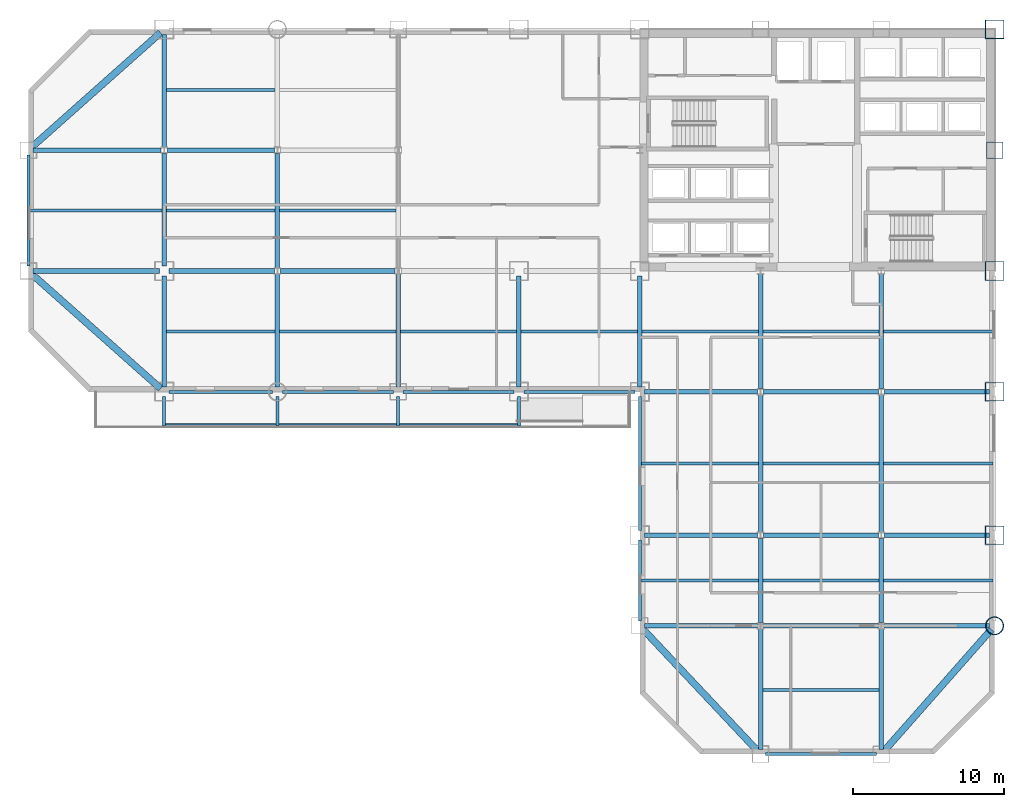
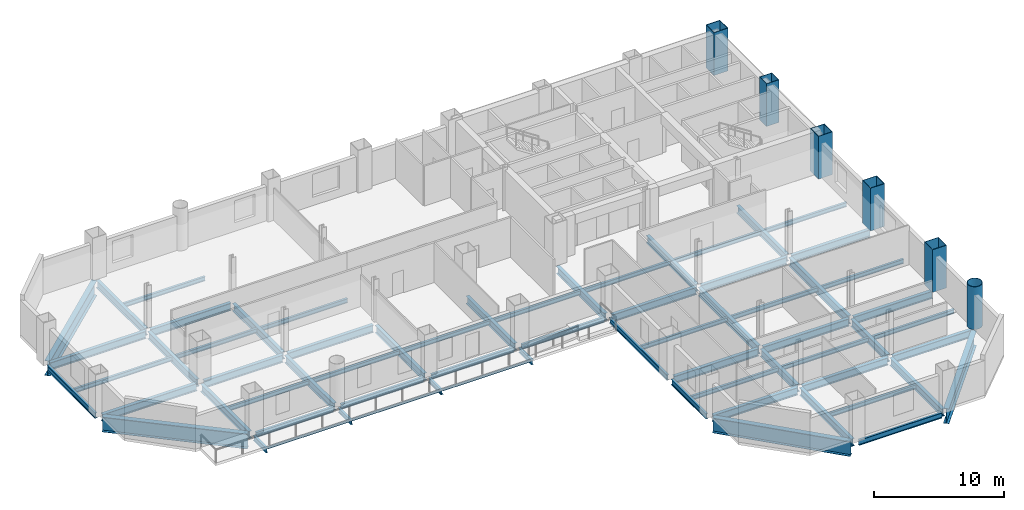
# One storey, part 3 of 9: 67 beams, 6 columns.
"""IFC4 building model written with IfcOpenShell, lengths in metres."""

from ifc_helpers import new_model, si_unit, direction, frame, origin, origin_2d, place, context, subcontext, project, spatial, hollow_rectangle, hollow_circle, i_section, extrude, material, material_profile, profile_set, type_object, element, save


model = new_model("IFC4")

# Units and contexts
model_context = context("Model", 3, precision=1e-05, world=origin(), true_north=direction((0.0, 1.0)))
body_context = subcontext(model_context, "Body", "Model", "MODEL_VIEW")
ifc_project = project(units=[si_unit("LENGTHUNIT", "METRE"), si_unit("AREAUNIT", "SQUARE_METRE"), si_unit("VOLUMEUNIT", "CUBIC_METRE"), si_unit("PLANEANGLEUNIT", "RADIAN"), si_unit("MASSUNIT", "GRAM", prefix="KILO")], contexts=[model_context])

# Site, building, storey
site_placement = place(None, origin())
site = spatial("IfcSite", under=ifc_project, at=site_placement, CompositionType="ELEMENT")
building_placement = place(site_placement, origin())
building = spatial("IfcBuilding", under=site, at=building_placement, Name="Qianrong Seaharbour Tower", CompositionType="ELEMENT")
storey_placement = place(building_placement, frame((0.0, 0.0, 64.199951171875)))
storey = spatial("IfcBuildingStorey", under=building, at=storey_placement, Name="L15", CompositionType="ELEMENT", Elevation=64.199951171875)

# Columns
ifc_material_1 = material(Name="Structural steel SN490B", Category="steel")
ifc_material_profile_1 = material_profile(ifc_material_1, hollow_rectangle(XDim=1.25, YDim=1.25, WallThickness=0.044921875, at=origin_2d()), Name="BOX1250x1250x45")
ifc_profile_set_1 = profile_set([ifc_material_profile_1], Name="Structural steel SN490B")
column_type_1 = type_object("IfcColumnType", Name="COL-CFT-1250", PredefinedType="COLUMN", material=ifc_profile_set_1)
for number, where, z_axis, x_axis, name in (
    (1, (64.0, 18.5, 0.0), (0.0, 0.0, 1.0), (1.0, 0.0, 0.0), "L15 Column MC-2 at G9/GD"),
    (2, (64.0, 28.0, 0.0), (0.0, 0.0, 1.0), (1.0, 0.0, 0.0), "L15 Column MC-2 at G9/GE"),
    (3, (64.0, 36.0, 0.0), (0.0, 0.0, 1.0), (1.0, 0.0, 0.0), "L15 Column MC-2 at G9/GF"),
    (4, (64.0, 52.0, 0.0), (0.0, 0.0, 1.0), (1.0, 0.0, 0.0), "L15 Column MC-2 at G9/GH"),
):
    element("IfcColumn", number, at=place(storey_placement, frame(where, z_axis=z_axis, x_axis=x_axis)), inside=storey, type_object=column_type_1, Name=name, PredefinedType="COLUMN", context=body_context, shape_type="SweptSolid", body=[
        extrude(hollow_rectangle(XDim=1.25, YDim=1.25, WallThickness=0.044921875, at=origin_2d()), origin(), (0.0, 0.0, 1.0), 4.0),
    ])
ifc_material_profile_2 = material_profile(ifc_material_1, hollow_circle(Radius=0.60009765625, WallThickness=0.0400390625, at=origin_2d()), Name="CHS1200x40")
ifc_profile_set_2 = profile_set([ifc_material_profile_2], Name="Structural steel SN490B")
column_type_2 = type_object("IfcColumnType", Name="COL-CHS-1200", PredefinedType="COLUMN", material=ifc_profile_set_2)
column_1_placement = place(storey_placement, frame((64.0, 12.5, 0.0), z_axis=(0.0, 0.0, 1.0), x_axis=(1.0, 0.0, 0.0)))
element("IfcColumn", 5, at=column_1_placement, inside=storey, type_object=column_type_2, Name="L15 Column CC-1 at G9/GC", PredefinedType="COLUMN", context=body_context, shape_type="SweptSolid", body=[
    extrude(hollow_circle(Radius=0.60009765625, WallThickness=0.0400390625, at=origin_2d()), origin(), (0.0, 0.0, 1.0), 4.0),
])
ifc_material_profile_3 = material_profile(ifc_material_1, hollow_rectangle(XDim=1.10009765625, YDim=1.10009765625, WallThickness=0.0400390625, at=origin_2d()), Name="BOX1100x1100x40")
ifc_profile_set_3 = profile_set([ifc_material_profile_3], Name="Structural steel SN490B")
column_type_3 = type_object("IfcColumnType", Name="COL-PER-1100", PredefinedType="COLUMN", material=ifc_profile_set_3)
column_2_placement = place(storey_placement, frame((64.0, 44.0, 0.0), z_axis=(0.0, 0.0, 1.0), x_axis=(1.0, 0.0, 0.0)))
element("IfcColumn", 6, at=column_2_placement, inside=storey, type_object=column_type_3, Name="L15 Column PC-1 at G9/GG", PredefinedType="COLUMN", context=body_context, shape_type="SweptSolid", body=[
    extrude(hollow_rectangle(XDim=1.10009765625, YDim=1.10009765625, WallThickness=0.0400390625, at=origin_2d()), origin(), (0.0, 0.0, 1.0), 4.0),
])

# Beams
ifc_material_profile_4 = material_profile(ifc_material_1, i_section(OverallWidth=0.300048828125, OverallDepth=0.699951171875, WebThickness=0.012939453125, FlangeThickness=0.02392578125, FilletRadius=0.02587890625, at=origin_2d()), Name="H700x300x13x24")
ifc_profile_set_4 = profile_set([ifc_material_profile_4], Name="Structural steel SN490B")
beam_type_1 = type_object("IfcBeamType", Name="BM-G-700", PredefinedType="BEAM", material=ifc_profile_set_4)
beam_1_placement = place(storey_placement, frame((40.820068359375, 12.5, -0.599853515625), z_axis=(1.0, 0.0, 0.0), x_axis=(0.0, 1.0, 0.0)))
element("IfcBeam", 7, at=beam_1_placement, inside=storey, type_object=beam_type_1, Name="L15 Primary Girder GC G6-G7", PredefinedType="BEAM", context=body_context, shape_type="SweptSolid", body=[
    extrude(i_section(OverallWidth=0.300048828125, OverallDepth=0.699951171875, WebThickness=0.012939453125, FlangeThickness=0.02392578125, FilletRadius=0.02587890625, at=origin_2d()), origin(), (0.0, 0.0, 1.0), 7.476318359375),
])
beam_2_placement = place(storey_placement, frame((48.70361328125, 12.5, -0.599853515625), z_axis=(1.0, 0.0, 0.0), x_axis=(0.0, 1.0, 0.0)))
element("IfcBeam", 8, at=beam_2_placement, inside=storey, type_object=beam_type_1, Name="L15 Primary Girder GC G7-G8", PredefinedType="BEAM", context=body_context, shape_type="SweptSolid", body=[
    extrude(i_section(OverallWidth=0.300048828125, OverallDepth=0.699951171875, WebThickness=0.012939453125, FlangeThickness=0.02392578125, FilletRadius=0.02587890625, at=origin_2d()), origin(), (0.0, 0.0, 1.0), 7.5927734375),
])
beam_3_placement = place(storey_placement, frame((56.70361328125, 12.5, -0.599853515625), z_axis=(1.0, 0.0, 0.0), x_axis=(0.0, 1.0, 0.0)))
element("IfcBeam", 9, at=beam_3_placement, inside=storey, type_object=beam_type_1, Name="L15 Primary Girder GC G8-G9", PredefinedType="BEAM", context=body_context, shape_type="SweptSolid", body=[
    extrude(i_section(OverallWidth=0.300048828125, OverallDepth=0.699951171875, WebThickness=0.012939453125, FlangeThickness=0.02392578125, FilletRadius=0.02587890625, at=origin_2d()), origin(), (0.0, 0.0, 1.0), 6.976318359375),
])
beam_4_placement = place(storey_placement, frame((40.820068359375, 18.5, -0.599853515625), z_axis=(1.0, 0.0, 0.0), x_axis=(0.0, 1.0, 0.0)))
element("IfcBeam", 10, at=beam_4_placement, inside=storey, type_object=beam_type_1, Name="L15 Primary Girder GD G6-G7", PredefinedType="BEAM", context=body_context, shape_type="SweptSolid", body=[
    extrude(i_section(OverallWidth=0.300048828125, OverallDepth=0.699951171875, WebThickness=0.012939453125, FlangeThickness=0.02392578125, FilletRadius=0.02587890625, at=origin_2d()), origin(), (0.0, 0.0, 1.0), 7.476318359375),
])
beam_5_placement = place(storey_placement, frame((48.70361328125, 18.5, -0.599853515625), z_axis=(1.0, 0.0, 0.0), x_axis=(0.0, 1.0, 0.0)))
element("IfcBeam", 11, at=beam_5_placement, inside=storey, type_object=beam_type_1, Name="L15 Primary Girder GD G7-G8", PredefinedType="BEAM", context=body_context, shape_type="SweptSolid", body=[
    extrude(i_section(OverallWidth=0.300048828125, OverallDepth=0.699951171875, WebThickness=0.012939453125, FlangeThickness=0.02392578125, FilletRadius=0.02587890625, at=origin_2d()), origin(), (0.0, 0.0, 1.0), 7.5927734375),
])
beam_6_placement = place(storey_placement, frame((56.70361328125, 18.5, -0.599853515625), z_axis=(1.0, 0.0, 0.0), x_axis=(0.0, 1.0, 0.0)))
element("IfcBeam", 12, at=beam_6_placement, inside=storey, type_object=beam_type_1, Name="L15 Primary Girder GD G8-G9", PredefinedType="BEAM", context=body_context, shape_type="SweptSolid", body=[
    extrude(i_section(OverallWidth=0.300048828125, OverallDepth=0.699951171875, WebThickness=0.012939453125, FlangeThickness=0.02392578125, FilletRadius=0.02587890625, at=origin_2d()), origin(), (0.0, 0.0, 1.0), 6.976318359375),
])
beam_7_placement = place(storey_placement, frame((40.820068359375, 28.0, -0.599853515625), z_axis=(1.0, 0.0, 0.0), x_axis=(0.0, 1.0, 0.0)))
element("IfcBeam", 13, at=beam_7_placement, inside=storey, type_object=beam_type_1, Name="L15 Primary Girder GE G6-G7", PredefinedType="BEAM", context=body_context, shape_type="SweptSolid", body=[
    extrude(i_section(OverallWidth=0.300048828125, OverallDepth=0.699951171875, WebThickness=0.012939453125, FlangeThickness=0.02392578125, FilletRadius=0.02587890625, at=origin_2d()), origin(), (0.0, 0.0, 1.0), 7.476318359375),
])
beam_8_placement = place(storey_placement, frame((48.70361328125, 28.0, -0.599853515625), z_axis=(1.0, 0.0, 0.0), x_axis=(0.0, 1.0, 0.0)))
element("IfcBeam", 14, at=beam_8_placement, inside=storey, type_object=beam_type_1, Name="L15 Primary Girder GE G7-G8", PredefinedType="BEAM", context=body_context, shape_type="SweptSolid", body=[
    extrude(i_section(OverallWidth=0.300048828125, OverallDepth=0.699951171875, WebThickness=0.012939453125, FlangeThickness=0.02392578125, FilletRadius=0.02587890625, at=origin_2d()), origin(), (0.0, 0.0, 1.0), 7.5927734375),
])
beam_9_placement = place(storey_placement, frame((56.70361328125, 28.0, -0.599853515625), z_axis=(1.0, 0.0, 0.0), x_axis=(0.0, 1.0, 0.0)))
element("IfcBeam", 15, at=beam_9_placement, inside=storey, type_object=beam_type_1, Name="L15 Primary Girder GE G8-G9", PredefinedType="BEAM", context=body_context, shape_type="SweptSolid", body=[
    extrude(i_section(OverallWidth=0.300048828125, OverallDepth=0.699951171875, WebThickness=0.012939453125, FlangeThickness=0.02392578125, FilletRadius=0.02587890625, at=origin_2d()), origin(), (0.0, 0.0, 1.0), 6.976318359375),
])
beam_10_placement = place(storey_placement, frame((0.320068359375, 36.0, -0.599853515625), z_axis=(1.0, 0.0, 0.0), x_axis=(0.0, 1.0, 0.0)))
element("IfcBeam", 16, at=beam_10_placement, inside=storey, type_object=beam_type_1, Name="L15 Primary Girder GF G1-G2", PredefinedType="BEAM", context=body_context, shape_type="SweptSolid", body=[
    extrude(i_section(OverallWidth=0.300048828125, OverallDepth=0.699951171875, WebThickness=0.012939453125, FlangeThickness=0.02392578125, FilletRadius=0.02587890625, at=origin_2d()), origin(), (0.0, 0.0, 1.0), 8.35986328125),
])
beam_11_placement = place(storey_placement, frame((9.320068359375, 36.0, -0.599853515625), z_axis=(1.0, 0.0, 0.0), x_axis=(0.0, 1.0, 0.0)))
element("IfcBeam", 17, at=beam_11_placement, inside=storey, type_object=beam_type_1, Name="L15 Primary Girder GF G2-G3", PredefinedType="BEAM", context=body_context, shape_type="SweptSolid", body=[
    extrude(i_section(OverallWidth=0.300048828125, OverallDepth=0.699951171875, WebThickness=0.012939453125, FlangeThickness=0.02392578125, FilletRadius=0.02587890625, at=origin_2d()), origin(), (0.0, 0.0, 1.0), 6.976318359375),
])
beam_12_placement = place(storey_placement, frame((16.70361328125, 36.0, -0.599853515625), z_axis=(1.0, 0.0, 0.0), x_axis=(0.0, 1.0, 0.0)))
element("IfcBeam", 18, at=beam_12_placement, inside=storey, type_object=beam_type_1, Name="L15 Primary Girder GF G3-G4", PredefinedType="BEAM", context=body_context, shape_type="SweptSolid", body=[
    extrude(i_section(OverallWidth=0.300048828125, OverallDepth=0.699951171875, WebThickness=0.012939453125, FlangeThickness=0.02392578125, FilletRadius=0.02587890625, at=origin_2d()), origin(), (0.0, 0.0, 1.0), 7.5927734375),
])
beam_13_placement = place(storey_placement, frame((0.320068359375, 44.0, -0.599853515625), z_axis=(1.0, 0.0, 0.0), x_axis=(0.0, 1.0, 0.0)))
element("IfcBeam", 19, at=beam_13_placement, inside=storey, type_object=beam_type_1, Name="L15 Primary Girder GG G1-G2", PredefinedType="BEAM", context=body_context, shape_type="SweptSolid", body=[
    extrude(i_section(OverallWidth=0.300048828125, OverallDepth=0.699951171875, WebThickness=0.012939453125, FlangeThickness=0.02392578125, FilletRadius=0.02587890625, at=origin_2d()), origin(), (0.0, 0.0, 1.0), 8.476318359375),
])
beam_14_placement = place(storey_placement, frame((9.20361328125, 44.0, -0.599853515625), z_axis=(1.0, 0.0, 0.0), x_axis=(0.0, 1.0, 0.0)))
element("IfcBeam", 20, at=beam_14_placement, inside=storey, type_object=beam_type_1, Name="L15 Primary Girder GG G2-G3", PredefinedType="BEAM", context=body_context, shape_type="SweptSolid", body=[
    extrude(i_section(OverallWidth=0.300048828125, OverallDepth=0.699951171875, WebThickness=0.012939453125, FlangeThickness=0.02392578125, FilletRadius=0.02587890625, at=origin_2d()), origin(), (0.0, 0.0, 1.0), 7.0927734375),
])
beam_15_placement = place(storey_placement, frame((9.0, 28.320068359375, -0.599853515625), z_axis=(0.0, 1.0, 0.0), x_axis=(-1.0, 0.0, 0.0)))
element("IfcBeam", 21, at=beam_15_placement, inside=storey, type_object=beam_type_1, Name="L15 Primary Girder G2 GE-GF", PredefinedType="BEAM", context=body_context, shape_type="SweptSolid", body=[
    extrude(i_section(OverallWidth=0.300048828125, OverallDepth=0.699951171875, WebThickness=0.012939453125, FlangeThickness=0.02392578125, FilletRadius=0.02587890625, at=origin_2d()), origin(), (0.0, 0.0, 1.0), 7.35986328125),
])
for number, where, z_axis, x_axis, name in (
    (22, (9.0, 36.320068359375, -0.599853515625), (0.0, 1.0, 0.0), (-1.0, 0.0, 0.0), "L15 Primary Girder G2 GF-GG"),
    (23, (9.0, 44.214111328125, -0.599853515625), (0.0, 1.0, 0.0), (-1.0, 0.0, 0.0), "L15 Primary Girder G2 GG-GH"),
    (24, (16.5, 28.320068359375, -0.599853515625), (0.0, 1.0, 0.0), (-1.0, 0.0, 0.0), "L15 Primary Girder G3 GE-GF"),
):
    element("IfcBeam", number, at=place(storey_placement, frame(where, z_axis=z_axis, x_axis=x_axis)), inside=storey, type_object=beam_type_1, Name=name, PredefinedType="BEAM", context=body_context, shape_type="SweptSolid", body=[
        extrude(i_section(OverallWidth=0.300048828125, OverallDepth=0.699951171875, WebThickness=0.012939453125, FlangeThickness=0.02392578125, FilletRadius=0.02587890625, at=origin_2d()), origin(), (0.0, 0.0, 1.0), 7.4658203125),
    ])
beam_16_placement = place(storey_placement, frame((16.5, 36.214111328125, -0.599853515625), z_axis=(0.0, 1.0, 0.0), x_axis=(-1.0, 0.0, 0.0)))
element("IfcBeam", 25, at=beam_16_placement, inside=storey, type_object=beam_type_1, Name="L15 Primary Girder G3 GF-GG", PredefinedType="BEAM", context=body_context, shape_type="SweptSolid", body=[
    extrude(i_section(OverallWidth=0.300048828125, OverallDepth=0.699951171875, WebThickness=0.012939453125, FlangeThickness=0.02392578125, FilletRadius=0.02587890625, at=origin_2d()), origin(), (0.0, 0.0, 1.0), 7.57177734375),
])
beam_17_placement = place(storey_placement, frame((24.5, 28.320068359375, -0.599853515625), z_axis=(0.0, 1.0, 0.0), x_axis=(-1.0, 0.0, 0.0)))
element("IfcBeam", 26, at=beam_17_placement, inside=storey, type_object=beam_type_1, Name="L15 Primary Girder G4 GE-GF", PredefinedType="BEAM", context=body_context, shape_type="SweptSolid", body=[
    extrude(i_section(OverallWidth=0.300048828125, OverallDepth=0.699951171875, WebThickness=0.012939453125, FlangeThickness=0.02392578125, FilletRadius=0.02587890625, at=origin_2d()), origin(), (0.0, 0.0, 1.0), 7.4658203125),
])
for number, where, z_axis, x_axis, name in (
    (27, (32.5, 28.320068359375, -0.599853515625), (0.0, 1.0, 0.0), (-1.0, 0.0, 0.0), "L15 Primary Girder G5 GE-GF"),
    (28, (40.5, 28.320068359375, -0.599853515625), (0.0, 1.0, 0.0), (-1.0, 0.0, 0.0), "L15 Primary Girder G6 GE-GF"),
):
    element("IfcBeam", number, at=place(storey_placement, frame(where, z_axis=z_axis, x_axis=x_axis)), inside=storey, type_object=beam_type_1, Name=name, PredefinedType="BEAM", context=body_context, shape_type="SweptSolid", body=[
        extrude(i_section(OverallWidth=0.300048828125, OverallDepth=0.699951171875, WebThickness=0.012939453125, FlangeThickness=0.02392578125, FilletRadius=0.02587890625, at=origin_2d()), origin(), (0.0, 0.0, 1.0), 7.35986328125),
    ])
beam_18_placement = place(storey_placement, frame((48.5, 4.320068359375, -0.599853515625), z_axis=(0.0, 1.0, 0.0), x_axis=(-1.0, 0.0, 0.0)))
element("IfcBeam", 29, at=beam_18_placement, inside=storey, type_object=beam_type_1, Name="L15 Primary Girder G7 GB-GC", PredefinedType="BEAM", context=body_context, shape_type="SweptSolid", body=[
    extrude(i_section(OverallWidth=0.300048828125, OverallDepth=0.699951171875, WebThickness=0.012939453125, FlangeThickness=0.02392578125, FilletRadius=0.02587890625, at=origin_2d()), origin(), (0.0, 0.0, 1.0), 7.9658203125),
])
beam_19_placement = place(storey_placement, frame((48.5, 12.714111328125, -0.599853515625), z_axis=(0.0, 1.0, 0.0), x_axis=(-1.0, 0.0, 0.0)))
element("IfcBeam", 30, at=beam_19_placement, inside=storey, type_object=beam_type_1, Name="L15 Primary Girder G7 GC-GD", PredefinedType="BEAM", context=body_context, shape_type="SweptSolid", body=[
    extrude(i_section(OverallWidth=0.300048828125, OverallDepth=0.699951171875, WebThickness=0.012939453125, FlangeThickness=0.02392578125, FilletRadius=0.02587890625, at=origin_2d()), origin(), (0.0, 0.0, 1.0), 5.57177734375),
])
beam_20_placement = place(storey_placement, frame((48.5, 28.214111328125, -0.599853515625), z_axis=(0.0, 1.0, 0.0), x_axis=(-1.0, 0.0, 0.0)))
element("IfcBeam", 31, at=beam_20_placement, inside=storey, type_object=beam_type_1, Name="L15 Primary Girder G7 GE-GF", PredefinedType="BEAM", context=body_context, shape_type="SweptSolid", body=[
    extrude(i_section(OverallWidth=0.300048828125, OverallDepth=0.699951171875, WebThickness=0.012939453125, FlangeThickness=0.02392578125, FilletRadius=0.02587890625, at=origin_2d()), origin(), (0.0, 0.0, 1.0), 7.57177734375),
])
beam_21_placement = place(storey_placement, frame((56.5, 4.320068359375, -0.599853515625), z_axis=(0.0, 1.0, 0.0), x_axis=(-1.0, 0.0, 0.0)))
element("IfcBeam", 32, at=beam_21_placement, inside=storey, type_object=beam_type_1, Name="L15 Primary Girder G8 GB-GC", PredefinedType="BEAM", context=body_context, shape_type="SweptSolid", body=[
    extrude(i_section(OverallWidth=0.300048828125, OverallDepth=0.699951171875, WebThickness=0.012939453125, FlangeThickness=0.02392578125, FilletRadius=0.02587890625, at=origin_2d()), origin(), (0.0, 0.0, 1.0), 7.9658203125),
])
beam_22_placement = place(storey_placement, frame((56.5, 12.714111328125, -0.599853515625), z_axis=(0.0, 1.0, 0.0), x_axis=(-1.0, 0.0, 0.0)))
element("IfcBeam", 33, at=beam_22_placement, inside=storey, type_object=beam_type_1, Name="L15 Primary Girder G8 GC-GD", PredefinedType="BEAM", context=body_context, shape_type="SweptSolid", body=[
    extrude(i_section(OverallWidth=0.300048828125, OverallDepth=0.699951171875, WebThickness=0.012939453125, FlangeThickness=0.02392578125, FilletRadius=0.02587890625, at=origin_2d()), origin(), (0.0, 0.0, 1.0), 5.57177734375),
])
beam_23_placement = place(storey_placement, frame((56.5, 28.214111328125, -0.599853515625), z_axis=(0.0, 1.0, 0.0), x_axis=(-1.0, 0.0, 0.0)))
element("IfcBeam", 34, at=beam_23_placement, inside=storey, type_object=beam_type_1, Name="L15 Primary Girder G8 GE-GF", PredefinedType="BEAM", context=body_context, shape_type="SweptSolid", body=[
    extrude(i_section(OverallWidth=0.300048828125, OverallDepth=0.699951171875, WebThickness=0.012939453125, FlangeThickness=0.02392578125, FilletRadius=0.02587890625, at=origin_2d()), origin(), (0.0, 0.0, 1.0), 7.57177734375),
])
ifc_material_profile_5 = material_profile(ifc_material_1, i_section(OverallWidth=0.300048828125, OverallDepth=0.800048828125, WebThickness=0.013916015625, FlangeThickness=0.02587890625, FilletRadius=0.028076171875, at=origin_2d()), Name="H800x300x14x26")
ifc_profile_set_5 = profile_set([ifc_material_profile_5], Name="Structural steel SN490B")
beam_type_2 = type_object("IfcBeamType", Name="BM-G-800", PredefinedType="BEAM", material=ifc_profile_set_5)
for number, where, z_axis, x_axis, name in (
    (35, (48.5, 18.714111328125, -0.64990234375), (0.0, 1.0, 0.0), (-1.0, 0.0, 0.0), "L15 Primary Girder G7 GD-GE"),
    (36, (56.5, 18.714111328125, -0.64990234375), (0.0, 1.0, 0.0), (-1.0, 0.0, 0.0), "L15 Primary Girder G8 GD-GE"),
):
    element("IfcBeam", number, at=place(storey_placement, frame(where, z_axis=z_axis, x_axis=x_axis)), inside=storey, type_object=beam_type_2, Name=name, PredefinedType="BEAM", context=body_context, shape_type="SweptSolid", body=[
        extrude(i_section(OverallWidth=0.300048828125, OverallDepth=0.800048828125, WebThickness=0.013916015625, FlangeThickness=0.02587890625, FilletRadius=0.028076171875, at=origin_2d()), origin(), (0.0, 0.0, 1.0), 9.07177734375),
    ])
ifc_material_2 = material(Name="Structural steel SN400B", Category="steel")
ifc_material_profile_6 = material_profile(ifc_material_2, i_section(OverallWidth=0.199951171875, OverallDepth=0.39990234375, WebThickness=0.008056640625, FlangeThickness=0.012939453125, FilletRadius=0.01611328125, at=origin_2d()), Name="H400x200x8x13")
ifc_profile_set_6 = profile_set([ifc_material_profile_6], Name="Structural steel SN400B")
beam_type_3 = type_object("IfcBeamType", Name="BM-J-400", PredefinedType="JOIST", material=ifc_profile_set_6)
beam_24_placement = place(storey_placement, frame((0.10009765625, 40.0, -0.449951171875), z_axis=(1.0, 0.0, 0.0), x_axis=(0.0, 1.0, 0.0)))
element("IfcBeam", 37, at=beam_24_placement, inside=storey, type_object=beam_type_3, Name="L15 Composite Floor Joist G1-G2/GF-GG", PredefinedType="JOIST", context=body_context, shape_type="SweptSolid", body=[
    extrude(i_section(OverallWidth=0.199951171875, OverallDepth=0.39990234375, WebThickness=0.008056640625, FlangeThickness=0.012939453125, FilletRadius=0.01611328125, at=origin_2d()), origin(), (0.0, 0.0, 1.0), 8.75),
])
for number, where, z_axis, x_axis, name in (
    (38, (9.14990234375, 32.0, -0.449951171875), (1.0, 0.0, 0.0), (0.0, 1.0, 0.0), "L15 Composite Floor Joist G2-G3/GE-GF"),
    (39, (9.14990234375, 40.0, -0.449951171875), (1.0, 0.0, 0.0), (0.0, 1.0, 0.0), "L15 Composite Floor Joist G2-G3/GF-GG"),
    (40, (9.14990234375, 48.0, -0.449951171875), (1.0, 0.0, 0.0), (0.0, 1.0, 0.0), "L15 Composite Floor Joist G2-G3/GG-GH"),
):
    element("IfcBeam", number, at=place(storey_placement, frame(where, z_axis=z_axis, x_axis=x_axis)), inside=storey, type_object=beam_type_3, Name=name, PredefinedType="JOIST", context=body_context, shape_type="SweptSolid", body=[
        extrude(i_section(OverallWidth=0.199951171875, OverallDepth=0.39990234375, WebThickness=0.008056640625, FlangeThickness=0.012939453125, FilletRadius=0.01611328125, at=origin_2d()), origin(), (0.0, 0.0, 1.0), 7.2001953125),
    ])
for number, where, z_axis, x_axis, name in (
    (41, (16.64990234375, 32.0, -0.449951171875), (1.0, 0.0, 0.0), (0.0, 1.0, 0.0), "L15 Composite Floor Joist G3-G4/GE-GF"),
    (42, (16.64990234375, 40.0, -0.449951171875), (1.0, 0.0, 0.0), (0.0, 1.0, 0.0), "L15 Composite Floor Joist G3-G4/GF-GG"),
    (43, (24.64990234375, 32.0, -0.449951171875), (1.0, 0.0, 0.0), (0.0, 1.0, 0.0), "L15 Composite Floor Joist G4-G5/GE-GF"),
    (44, (32.64990234375, 32.0, -0.449951171875), (1.0, 0.0, 0.0), (0.0, 1.0, 0.0), "L15 Composite Floor Joist G5-G6/GE-GF"),
):
    element("IfcBeam", number, at=place(storey_placement, frame(where, z_axis=z_axis, x_axis=x_axis)), inside=storey, type_object=beam_type_3, Name=name, PredefinedType="JOIST", context=body_context, shape_type="SweptSolid", body=[
        extrude(i_section(OverallWidth=0.199951171875, OverallDepth=0.39990234375, WebThickness=0.008056640625, FlangeThickness=0.012939453125, FilletRadius=0.01611328125, at=origin_2d()), origin(), (0.0, 0.0, 1.0), 7.7001953125),
    ])
for number, where, z_axis, x_axis, name in (
    (45, (40.60009765625, 15.5, -0.449951171875), (1.0, 0.0, 0.0), (0.0, 1.0, 0.0), "L15 Composite Floor Joist G6-G7/GC-GD"),
    (46, (40.60009765625, 23.25, -0.449951171875), (1.0, 0.0, 0.0), (0.0, 1.0, 0.0), "L15 Composite Floor Joist G6-G7/GD-GE"),
):
    element("IfcBeam", number, at=place(storey_placement, frame(where, z_axis=z_axis, x_axis=x_axis)), inside=storey, type_object=beam_type_3, Name=name, PredefinedType="JOIST", context=body_context, shape_type="SweptSolid", body=[
        extrude(i_section(OverallWidth=0.199951171875, OverallDepth=0.39990234375, WebThickness=0.008056640625, FlangeThickness=0.012939453125, FilletRadius=0.01611328125, at=origin_2d()), origin(), (0.0, 0.0, 1.0), 7.75),
    ])
for number, where, z_axis, x_axis, name in (
    (47, (40.64990234375, 32.0, -0.449951171875), (1.0, 0.0, 0.0), (0.0, 1.0, 0.0), "L15 Composite Floor Joist G6-G7/GE-GF"),
    (48, (48.64990234375, 8.25, -0.449951171875), (1.0, 0.0, 0.0), (0.0, 1.0, 0.0), "L15 Composite Floor Joist G7-G8/GB-GC"),
    (49, (48.64990234375, 15.5, -0.449951171875), (1.0, 0.0, 0.0), (0.0, 1.0, 0.0), "L15 Composite Floor Joist G7-G8/GC-GD"),
    (50, (48.64990234375, 23.25, -0.449951171875), (1.0, 0.0, 0.0), (0.0, 1.0, 0.0), "L15 Composite Floor Joist G7-G8/GD-GE"),
    (51, (48.64990234375, 32.0, -0.449951171875), (1.0, 0.0, 0.0), (0.0, 1.0, 0.0), "L15 Composite Floor Joist G7-G8/GE-GF"),
):
    element("IfcBeam", number, at=place(storey_placement, frame(where, z_axis=z_axis, x_axis=x_axis)), inside=storey, type_object=beam_type_3, Name=name, PredefinedType="JOIST", context=body_context, shape_type="SweptSolid", body=[
        extrude(i_section(OverallWidth=0.199951171875, OverallDepth=0.39990234375, WebThickness=0.008056640625, FlangeThickness=0.012939453125, FilletRadius=0.01611328125, at=origin_2d()), origin(), (0.0, 0.0, 1.0), 7.7001953125),
    ])
for number, where, z_axis, x_axis, name in (
    (52, (56.64990234375, 15.5, -0.449951171875), (1.0, 0.0, 0.0), (0.0, 1.0, 0.0), "L15 Composite Floor Joist G8-G9/GC-GD"),
    (53, (56.64990234375, 23.25, -0.449951171875), (1.0, 0.0, 0.0), (0.0, 1.0, 0.0), "L15 Composite Floor Joist G8-G9/GD-GE"),
    (54, (56.64990234375, 32.0, -0.449951171875), (1.0, 0.0, 0.0), (0.0, 1.0, 0.0), "L15 Composite Floor Joist G8-G9/GE-GF"),
):
    element("IfcBeam", number, at=place(storey_placement, frame(where, z_axis=z_axis, x_axis=x_axis)), inside=storey, type_object=beam_type_3, Name=name, PredefinedType="JOIST", context=body_context, shape_type="SweptSolid", body=[
        extrude(i_section(OverallWidth=0.199951171875, OverallDepth=0.39990234375, WebThickness=0.008056640625, FlangeThickness=0.012939453125, FilletRadius=0.01611328125, at=origin_2d()), origin(), (0.0, 0.0, 1.0), 7.25),
    ])
ifc_material_profile_7 = material_profile(ifc_material_2, i_section(OverallWidth=0.10009765625, OverallDepth=0.199951171875, WebThickness=0.005615234375, FlangeThickness=0.008056640625, FilletRadius=0.010986328125, at=origin_2d()), Name="H200x100x5.5x8")
ifc_profile_set_7 = profile_set([ifc_material_profile_7], Name="Structural steel SN400B")
beam_type_4 = type_object("IfcBeamType", Name="BM-PURLIN-200", PredefinedType="JOIST", material=ifc_profile_set_7)
beam_25_placement = place(storey_placement, frame((9.10009765625, 25.840087890625, -0.349853515625), z_axis=(1.0, 0.0, 0.0), x_axis=(0.0, 1.0, 0.0)))
element("IfcBeam", 55, at=beam_25_placement, inside=storey, type_object=beam_type_4, Name="L15 Harbourfront Ribbon Edge Beam G3", PredefinedType="JOIST", context=body_context, shape_type="SweptSolid", body=[
    extrude(i_section(OverallWidth=0.10009765625, OverallDepth=0.199951171875, WebThickness=0.005615234375, FlangeThickness=0.008056640625, FilletRadius=0.010986328125, at=origin_2d()), origin(), (0.0, 0.0, 1.0), 7.2998046875),
])
for number, where, z_axis, x_axis, name in (
    (56, (16.60009765625, 25.840087890625, -0.349853515625), (1.0, 0.0, 0.0), (0.0, 1.0, 0.0), "L15 Harbourfront Ribbon Edge Beam G4"),
    (57, (24.60009765625, 25.840087890625, -0.349853515625), (1.0, 0.0, 0.0), (0.0, 1.0, 0.0), "L15 Harbourfront Ribbon Edge Beam G5"),
):
    element("IfcBeam", number, at=place(storey_placement, frame(where, z_axis=z_axis, x_axis=x_axis)), inside=storey, type_object=beam_type_4, Name=name, PredefinedType="JOIST", context=body_context, shape_type="SweptSolid", body=[
        extrude(i_section(OverallWidth=0.10009765625, OverallDepth=0.199951171875, WebThickness=0.005615234375, FlangeThickness=0.008056640625, FilletRadius=0.010986328125, at=origin_2d()), origin(), (0.0, 0.0, 1.0), 7.7998046875),
    ])
ifc_material_profile_8 = material_profile(ifc_material_1, i_section(OverallWidth=0.199951171875, OverallDepth=0.449951171875, WebThickness=0.009033203125, FlangeThickness=0.013916015625, FilletRadius=0.01806640625, at=origin_2d()), Name="H450x200x9x14")
ifc_profile_set_8 = profile_set([ifc_material_profile_8], Name="Structural steel SN490B")
beam_type_5 = type_object("IfcBeamType", Name="BM-RIB-450", PredefinedType="BEAM", material=ifc_profile_set_8)
for number, where, z_axis, x_axis, name in (
    (58, (9.0, 27.699951171875, -0.474853515625), (0.0, -1.0, 0.0), (1.0, 0.0, 0.0), "L15 Harbourfront Ribbon Cantilever Bracket G2"),
    (59, (16.5, 27.699951171875, -0.474853515625), (0.0, -1.0, 0.0), (1.0, 0.0, 0.0), "L15 Harbourfront Ribbon Cantilever Bracket G3"),
    (60, (24.5, 27.699951171875, -0.474853515625), (0.0, -1.0, 0.0), (1.0, 0.0, 0.0), "L15 Harbourfront Ribbon Cantilever Bracket G4"),
    (61, (32.5, 27.699951171875, -0.474853515625), (0.0, -1.0, 0.0), (1.0, 0.0, 0.0), "L15 Harbourfront Ribbon Cantilever Bracket G5"),
):
    element("IfcBeam", number, at=place(storey_placement, frame(where, z_axis=z_axis, x_axis=x_axis)), inside=storey, type_object=beam_type_5, Name=name, PredefinedType="BEAM", context=body_context, shape_type="SweptSolid", body=[
        extrude(i_section(OverallWidth=0.199951171875, OverallDepth=0.449951171875, WebThickness=0.009033203125, FlangeThickness=0.013916015625, FilletRadius=0.01806640625, at=origin_2d()), origin(), (0.0, 0.0, 1.0), 1.97998046875),
    ])
ifc_material_profile_9 = material_profile(ifc_material_1, i_section(OverallWidth=0.199951171875, OverallDepth=0.5, WebThickness=0.010009765625, FlangeThickness=0.01611328125, FilletRadius=0.02001953125, at=origin_2d()), Name="H500x200x10x16")
ifc_profile_set_9 = profile_set([ifc_material_profile_9], Name="Structural steel SN490B")
beam_type_6 = type_object("IfcBeamType", Name="BM-SP-500", PredefinedType="SPANDREL", material=ifc_profile_set_9)
beam_26_placement = place(storey_placement, frame((48.820068359375, 4.0, -0.5), z_axis=(1.0, 0.0, 0.0), x_axis=(0.0, 1.0, 0.0)))
element("IfcBeam", 62, at=beam_26_placement, inside=storey, type_object=beam_type_6, Name="L15 Spandrel Girder GB G7-G8", PredefinedType="SPANDREL", context=body_context, shape_type="SweptSolid", body=[
    extrude(i_section(OverallWidth=0.199951171875, OverallDepth=0.5, WebThickness=0.010009765625, FlangeThickness=0.01611328125, FilletRadius=0.02001953125, at=origin_2d()), origin(), (0.0, 0.0, 1.0), 7.35986328125),
])
beam_27_placement = place(storey_placement, frame((9.320068359375, 28.0, -0.5), z_axis=(1.0, 0.0, 0.0), x_axis=(0.0, 1.0, 0.0)))
element("IfcBeam", 63, at=beam_27_placement, inside=storey, type_object=beam_type_6, Name="L15 Spandrel Girder GE G2-G3", PredefinedType="SPANDREL", context=body_context, shape_type="SweptSolid", body=[
    extrude(i_section(OverallWidth=0.199951171875, OverallDepth=0.5, WebThickness=0.010009765625, FlangeThickness=0.01611328125, FilletRadius=0.02001953125, at=origin_2d()), origin(), (0.0, 0.0, 1.0), 6.85986328125),
])
for number, where, z_axis, x_axis, name in (
    (64, (16.820068359375, 28.0, -0.5), (1.0, 0.0, 0.0), (0.0, 1.0, 0.0), "L15 Spandrel Girder GE G3-G4"),
    (65, (24.820068359375, 28.0, -0.5), (1.0, 0.0, 0.0), (0.0, 1.0, 0.0), "L15 Spandrel Girder GE G4-G5"),
    (66, (32.820068359375, 28.0, -0.5), (1.0, 0.0, 0.0), (0.0, 1.0, 0.0), "L15 Spandrel Girder GE G5-G6"),
    (67, (0.0, 36.320068359375, -0.5), (0.0, 1.0, 0.0), (-1.0, 0.0, 0.0), "L15 Spandrel Girder G1 GF-GG"),
):
    element("IfcBeam", number, at=place(storey_placement, frame(where, z_axis=z_axis, x_axis=x_axis)), inside=storey, type_object=beam_type_6, Name=name, PredefinedType="SPANDREL", context=body_context, shape_type="SweptSolid", body=[
        extrude(i_section(OverallWidth=0.199951171875, OverallDepth=0.5, WebThickness=0.010009765625, FlangeThickness=0.01611328125, FilletRadius=0.02001953125, at=origin_2d()), origin(), (0.0, 0.0, 1.0), 7.35986328125),
    ])
beam_28_placement = place(storey_placement, frame((40.5, 12.820068359375, -0.5), z_axis=(0.0, 1.0, 0.0), x_axis=(-1.0, 0.0, 0.0)))
element("IfcBeam", 68, at=beam_28_placement, inside=storey, type_object=beam_type_6, Name="L15 Spandrel Girder G6 GC-GD", PredefinedType="SPANDREL", context=body_context, shape_type="SweptSolid", body=[
    extrude(i_section(OverallWidth=0.199951171875, OverallDepth=0.5, WebThickness=0.010009765625, FlangeThickness=0.01611328125, FilletRadius=0.02001953125, at=origin_2d()), origin(), (0.0, 0.0, 1.0), 5.35986328125),
])
beam_29_placement = place(storey_placement, frame((40.5, 18.820068359375, -0.5), z_axis=(0.0, 1.0, 0.0), x_axis=(-1.0, 0.0, 0.0)))
element("IfcBeam", 69, at=beam_29_placement, inside=storey, type_object=beam_type_6, Name="L15 Spandrel Girder G6 GD-GE", PredefinedType="SPANDREL", context=body_context, shape_type="SweptSolid", body=[
    extrude(i_section(OverallWidth=0.199951171875, OverallDepth=0.5, WebThickness=0.010009765625, FlangeThickness=0.01611328125, FilletRadius=0.02001953125, at=origin_2d()), origin(), (0.0, 0.0, 1.0), 8.85986328125),
])
ifc_material_profile_10 = material_profile(ifc_material_1, i_section(OverallWidth=0.449951171875, OverallDepth=1.39990234375, WebThickness=0.02197265625, FlangeThickness=0.0400390625, at=origin_2d()), Name="BH1400x450x22x40")
ifc_profile_set_10 = profile_set([ifc_material_profile_10], Name="Structural steel SN490B")
beam_type_7 = type_object("IfcBeamType", Name="BM-TG-1400", PredefinedType="BEAM", material=ifc_profile_set_10)
for number, where, z_axis, x_axis, name in (
    (70, (8.7607421875, 28.212646484375, -0.949951171875), (-0.747406955841, 0.664366497018, 0.0), (-0.664366497018, -0.747406955841, 0.0), "L15 Chamfer Corner Spandrel Girder G1/GE"),
    (71, (8.7607421875, 51.787353515625, -0.949951171875), (-0.747406955841, -0.664366497018, 0.0), (0.664366497018, -0.747406955841, 0.0), "L15 Chamfer Corner Spandrel Girder G1/GH"),
):
    element("IfcBeam", number, at=place(storey_placement, frame(where, z_axis=z_axis, x_axis=x_axis)), inside=storey, type_object=beam_type_7, Name=name, PredefinedType="BEAM", context=body_context, shape_type="SweptSolid", body=[
        extrude(i_section(OverallWidth=0.449951171875, OverallDepth=1.39990234375, WebThickness=0.02197265625, FlangeThickness=0.0400390625, at=origin_2d()), origin(), (0.0, 0.0, 1.0), 11.4013671875),
    ])
beam_30_placement = place(storey_placement, frame((48.28076171875, 4.23291015625, -0.949951171875), z_axis=(-0.685361938021, 0.728202591256, 0.0), x_axis=(-0.728202591256, -0.685361938021, 0.0)))
element("IfcBeam", 72, at=beam_30_placement, inside=storey, type_object=beam_type_7, Name="L15 Chamfer Corner Spandrel Girder G6/GB", PredefinedType="BEAM", context=body_context, shape_type="SweptSolid", body=[
    extrude(i_section(OverallWidth=0.449951171875, OverallDepth=1.39990234375, WebThickness=0.02197265625, FlangeThickness=0.0400390625, at=origin_2d()), origin(), (0.0, 0.0, 1.0), 11.032958984375),
])
beam_31_placement = place(storey_placement, frame((56.711669921875, 4.239990234375, -0.949951171875), z_axis=(0.661630696334, 0.749829861815, 0.0), x_axis=(-0.749829861815, 0.661630696334, 0.0)))
element("IfcBeam", 73, at=beam_31_placement, inside=storey, type_object=beam_type_7, Name="L15 Chamfer Corner Spandrel Girder G9/GB", PredefinedType="BEAM", context=body_context, shape_type="SweptSolid", body=[
    extrude(i_section(OverallWidth=0.449951171875, OverallDepth=1.39990234375, WebThickness=0.02197265625, FlangeThickness=0.0400390625, at=origin_2d()), origin(), (0.0, 0.0, 1.0), 10.69580078125),
])

save(model, "model.ifc")
